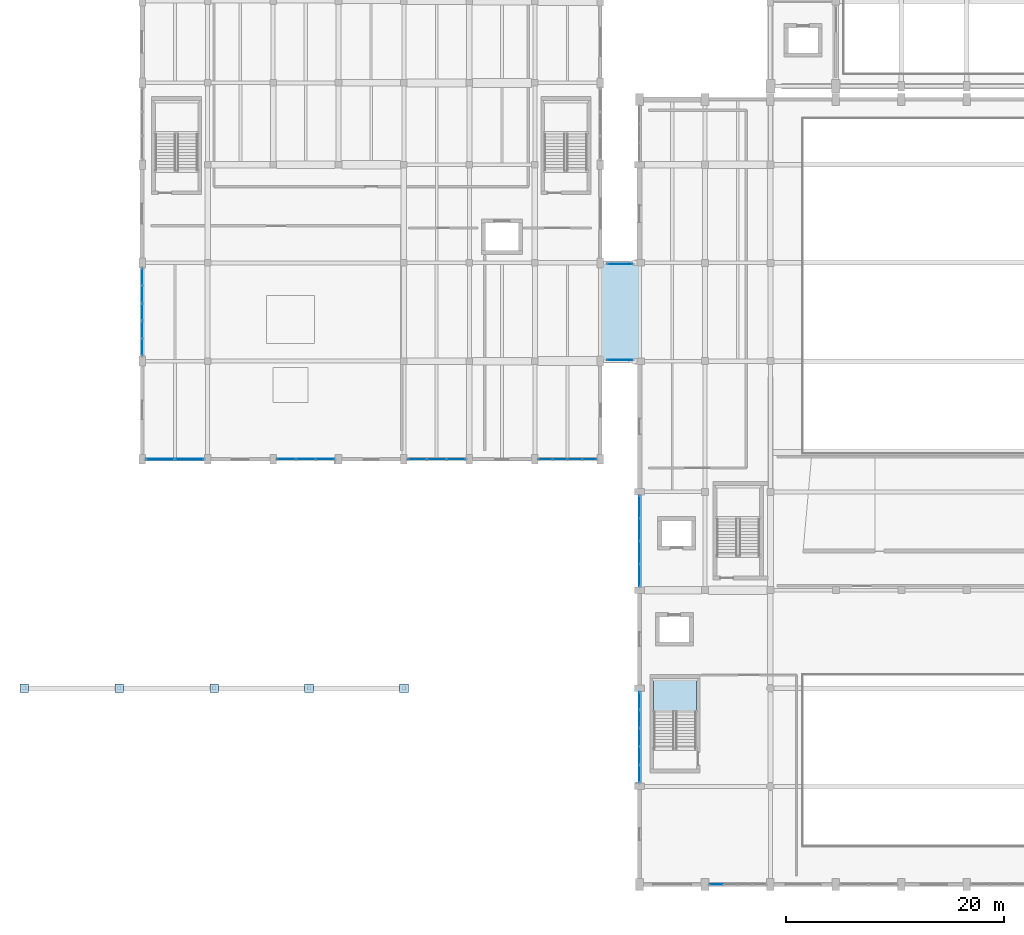
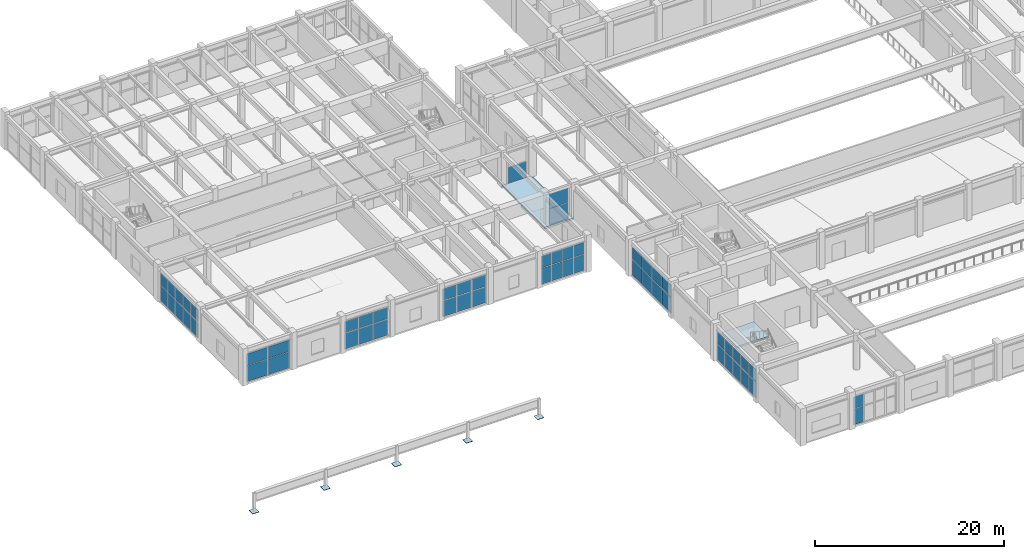
# One storey, part 54 of 85: 62 plates, 2 slabs, 11 elements without a shape of their own.
"""IFC4 building model written with IfcOpenShell, lengths in metres."""

from ifc_helpers import new_model, si_unit, direction, frame, origin, origin_2d, place, context, subcontext, project, spatial, polyline, rectangle, outline, extrude, material, layer, layer_set, type_object, element, aggregate, save


model = new_model("IFC4")

# Units and contexts
model_context = context("Model", 3, precision=1e-05, world=origin(), true_north=direction((0.0, 1.0)))
body_context = subcontext(model_context, "Body", "Model", "MODEL_VIEW")
ifc_project = project(units=[si_unit("LENGTHUNIT", "METRE"), si_unit("AREAUNIT", "SQUARE_METRE"), si_unit("VOLUMEUNIT", "CUBIC_METRE"), si_unit("PLANEANGLEUNIT", "RADIAN"), si_unit("MASSUNIT", "GRAM", prefix="KILO")], contexts=[model_context])

# Site, building, storey
site_placement = place(None, origin())
site = spatial("IfcSite", under=ifc_project, at=site_placement, CompositionType="ELEMENT")
building_placement = place(site_placement, origin())
building = spatial("IfcBuilding", under=site, at=building_placement, Name="Vaelkrest Opera House", CompositionType="ELEMENT")
storey_placement = place(building_placement, frame((0.0, 0.0, 10.199951171875)))
storey = spatial("IfcBuildingStorey", under=building, at=storey_placement, Name="L02", CompositionType="ELEMENT", Elevation=10.199951171875)

# Curtain wall, plates
ifc_material_1 = material(Name="Dark bronze anodized aluminium", Category="aluminium")
ifc_layer_1 = layer(ifc_material_1, 0.18994140625)
ifc_layer_set_1 = layer_set([ifc_layer_1], Name="Dark bronze anodized aluminium")
curtain_wall_type_1 = type_object("IfcCurtainWallType", Name="CW02", PredefinedType="NOTDEFINED", material=ifc_layer_set_1)
curtain_wall_1_placement = place(storey_placement, origin())
curtain_wall_1 = element("IfcCurtainWall", 1, at=curtain_wall_1_placement, inside=storey, type_object=curtain_wall_type_1, Name="Curtain wall CW-L02-035", PredefinedType="NOTDEFINED")
ifc_material_2 = material(Name="Double low-E insulated glazing", Category="glass")
ifc_layer_2 = layer(ifc_material_2, 0.030029296875)
ifc_layer_set_2 = layer_set([ifc_layer_2], Name="Double low-E insulated glazing")
plate_type_1 = type_object("IfcPlateType", Name="CWP02", PredefinedType="CURTAIN_PANEL", material=ifc_layer_set_2)
plate_1_placement = place(storey_placement, frame((-22.971435546875, -55.800048828125, 0.070068359375), z_axis=(0.0, 0.0, 1.0), x_axis=(-1.0, 0.0, 0.0)))
plate_1 = element("IfcPlate", 2, at=plate_1_placement, type_object=plate_type_1, Name="CW02 panel 4.1", PredefinedType="CURTAIN_PANEL", context=body_context, shape_type="SweptSolid", body=[
    extrude(rectangle(XDim=1.220947265625, YDim=0.030029296875, at=origin_2d()), origin(), (0.0, 0.0, 1.0), 2.044921875),
])
plate_2_placement = place(storey_placement, frame((-22.971435546875, -55.800048828125, 2.18505859375), z_axis=(0.0, 0.0, 1.0), x_axis=(-1.0, 0.0, 0.0)))
plate_2 = element("IfcPlate", 3, at=plate_2_placement, type_object=plate_type_1, Name="CW02 panel 4.2", PredefinedType="CURTAIN_PANEL", context=body_context, shape_type="SweptSolid", body=[
    extrude(rectangle(XDim=1.220947265625, YDim=0.030029296875, at=origin_2d()), origin(), (0.0, 0.0, 1.0), 1.489990234375),
])
aggregate(curtain_wall_1, [plate_1, plate_2])

curtain_wall_2_placement = place(storey_placement, origin())
curtain_wall_2 = element("IfcCurtainWall", 4, at=curtain_wall_2_placement, inside=storey, type_object=curtain_wall_type_1, Name="Curtain wall CW-L02-112", PredefinedType="NOTDEFINED")
plate_3_placement = place(storey_placement, frame((-34.591064453125, -16.800048828125, 0.070068359375), z_axis=(0.0, 0.0, 1.0), x_axis=(-1.0, 0.0, 0.0)))
plate_3 = element("IfcPlate", 5, at=plate_3_placement, type_object=plate_type_1, Name="CW02 panel 1.1", PredefinedType="CURTAIN_PANEL", context=body_context, shape_type="SweptSolid", body=[
    extrude(rectangle(XDim=1.24609375, YDim=0.030029296875, at=origin_2d()), origin(), (0.0, 0.0, 1.0), 2.044921875),
])
plate_4_placement = place(storey_placement, frame((-34.591064453125, -16.800048828125, 2.18505859375), z_axis=(0.0, 0.0, 1.0), x_axis=(-1.0, 0.0, 0.0)))
plate_4 = element("IfcPlate", 6, at=plate_4_placement, type_object=plate_type_1, Name="CW02 panel 1.2", PredefinedType="CURTAIN_PANEL", context=body_context, shape_type="SweptSolid", body=[
    extrude(rectangle(XDim=1.24609375, YDim=0.030029296875, at=origin_2d()), origin(), (0.0, 0.0, 1.0), 1.489990234375),
])
plate_5_placement = place(storey_placement, frame((-35.924560546875, -16.800048828125, 0.070068359375), z_axis=(0.0, 0.0, 1.0), x_axis=(-1.0, 0.0, 0.0)))
plate_5 = element("IfcPlate", 7, at=plate_5_placement, type_object=plate_type_1, Name="CW02 panel 2.1", PredefinedType="CURTAIN_PANEL", context=body_context, shape_type="SweptSolid", body=[
    extrude(rectangle(XDim=1.281005859375, YDim=0.030029296875, at=origin_2d()), origin(), (0.0, 0.0, 1.0), 2.044921875),
])
plate_6_placement = place(storey_placement, frame((-35.924560546875, -16.800048828125, 2.18505859375), z_axis=(0.0, 0.0, 1.0), x_axis=(-1.0, 0.0, 0.0)))
plate_6 = element("IfcPlate", 8, at=plate_6_placement, type_object=plate_type_1, Name="CW02 panel 2.2", PredefinedType="CURTAIN_PANEL", context=body_context, shape_type="SweptSolid", body=[
    extrude(rectangle(XDim=1.281005859375, YDim=0.030029296875, at=origin_2d()), origin(), (0.0, 0.0, 1.0), 1.489990234375),
])
plate_7_placement = place(storey_placement, frame((-37.275390625, -16.800048828125, 0.070068359375), z_axis=(0.0, 0.0, 1.0), x_axis=(-1.0, 0.0, 0.0)))
plate_7 = element("IfcPlate", 9, at=plate_7_placement, type_object=plate_type_1, Name="CW02 panel 3.1", PredefinedType="CURTAIN_PANEL", context=body_context, shape_type="SweptSolid", body=[
    extrude(rectangle(XDim=1.281005859375, YDim=0.030029296875, at=origin_2d()), origin(), (0.0, 0.0, 1.0), 2.044921875),
])
plate_8_placement = place(storey_placement, frame((-37.275390625, -16.800048828125, 2.18505859375), z_axis=(0.0, 0.0, 1.0), x_axis=(-1.0, 0.0, 0.0)))
plate_8 = element("IfcPlate", 10, at=plate_8_placement, type_object=plate_type_1, Name="CW02 panel 3.2", PredefinedType="CURTAIN_PANEL", context=body_context, shape_type="SweptSolid", body=[
    extrude(rectangle(XDim=1.281005859375, YDim=0.030029296875, at=origin_2d()), origin(), (0.0, 0.0, 1.0), 1.489990234375),
])
plate_9_placement = place(storey_placement, frame((-38.60888671875, -16.800048828125, 0.070068359375), z_axis=(0.0, 0.0, 1.0), x_axis=(-1.0, 0.0, 0.0)))
plate_9 = element("IfcPlate", 11, at=plate_9_placement, type_object=plate_type_1, Name="CW02 panel 4.1", PredefinedType="CURTAIN_PANEL", context=body_context, shape_type="SweptSolid", body=[
    extrude(rectangle(XDim=1.24609375, YDim=0.030029296875, at=origin_2d()), origin(), (0.0, 0.0, 1.0), 2.044921875),
])
plate_10_placement = place(storey_placement, frame((-38.60888671875, -16.800048828125, 2.18505859375), z_axis=(0.0, 0.0, 1.0), x_axis=(-1.0, 0.0, 0.0)))
plate_10 = element("IfcPlate", 12, at=plate_10_placement, type_object=plate_type_1, Name="CW02 panel 4.2", PredefinedType="CURTAIN_PANEL", context=body_context, shape_type="SweptSolid", body=[
    extrude(rectangle(XDim=1.24609375, YDim=0.030029296875, at=origin_2d()), origin(), (0.0, 0.0, 1.0), 1.489990234375),
])
aggregate(curtain_wall_2, [plate_3, plate_4, plate_5, plate_6, plate_7, plate_8, plate_9, plate_10])

ifc_layer_3 = layer(ifc_material_1, 0.199951171875)
ifc_layer_set_3 = layer_set([ifc_layer_3], Name="Dark bronze anodized aluminium")
curtain_wall_type_2 = type_object("IfcCurtainWallType", Name="CW03", PredefinedType="NOTDEFINED", material=ifc_layer_set_3)
curtain_wall_3_placement = place(storey_placement, origin())
curtain_wall_3 = element("IfcCurtainWall", 13, at=curtain_wall_3_placement, inside=storey, type_object=curtain_wall_type_2, Name="Curtain wall CW-L02-178", PredefinedType="NOTDEFINED")
ifc_layer_4 = layer(ifc_material_2, 0.033935546875)
ifc_layer_set_4 = layer_set([ifc_layer_4], Name="Double low-E insulated glazing")
plate_type_2 = type_object("IfcPlateType", Name="CWP03", PredefinedType="CURTAIN_PANEL", material=ifc_layer_set_4)
plate_11_placement = place(storey_placement, frame((-31.800048828125, -7.699951171875, 0.074951171875), z_axis=(0.0, 0.0, 1.0), x_axis=(-1.0, 0.0, 0.0)))
plate_11 = element("IfcPlate", 14, at=plate_11_placement, type_object=plate_type_2, Name="CW03 panel 1.1", PredefinedType="CURTAIN_PANEL", context=body_context, shape_type="SweptSolid", body=[
    extrude(rectangle(XDim=2.2900390625, YDim=0.033935546875, at=origin_2d()), origin(), (0.0, 0.0, 1.0), 2.03759765625),
])
plate_12_placement = place(storey_placement, frame((-31.800048828125, -7.699951171875, 2.1875), z_axis=(0.0, 0.0, 1.0), x_axis=(-1.0, 0.0, 0.0)))
plate_12 = element("IfcPlate", 15, at=plate_12_placement, type_object=plate_type_2, Name="CW03 panel 1.2", PredefinedType="CURTAIN_PANEL", context=body_context, shape_type="SweptSolid", body=[
    extrude(rectangle(XDim=2.2900390625, YDim=0.033935546875, at=origin_2d()), origin(), (0.0, 0.0, 1.0), 1.8173828125),
])
aggregate(curtain_wall_3, [plate_11, plate_12])

# Curtain wall, plate
curtain_wall_4_placement = place(storey_placement, origin())
curtain_wall_4 = element("IfcCurtainWall", 16, at=curtain_wall_4_placement, inside=storey, type_object=curtain_wall_type_2, Name="Curtain wall CW-L02-179", PredefinedType="NOTDEFINED")
plate_13_placement = place(storey_placement, frame((-31.800048828125, 1.10009765625, 0.074951171875), z_axis=(0.0, 0.0, 1.0), x_axis=(1.0, 0.0, 0.0)))
plate_13 = element("IfcPlate", 17, at=plate_13_placement, type_object=plate_type_2, Name="CW03 panel 1.1", PredefinedType="CURTAIN_PANEL", context=body_context, shape_type="SweptSolid", body=[
    extrude(rectangle(XDim=2.2900390625, YDim=0.033935546875, at=origin_2d()), origin(), (0.0, 0.0, 1.0), 2.03759765625),
])
aggregate(curtain_wall_4, [plate_13])

# Curtain wall, plates
ifc_layer_5 = layer(ifc_material_1, 0.2099609375)
ifc_layer_set_5 = layer_set([ifc_layer_5], Name="Dark bronze anodized aluminium")
curtain_wall_type_3 = type_object("IfcCurtainWallType", Name="CW04", PredefinedType="NOTDEFINED", material=ifc_layer_set_5)
curtain_wall_5_placement = place(storey_placement, origin())
curtain_wall_5 = element("IfcCurtainWall", 18, at=curtain_wall_5_placement, inside=storey, type_object=curtain_wall_type_3, Name="Curtain wall CW-L02-036", PredefinedType="NOTDEFINED")
ifc_layer_6 = layer(ifc_material_2, 0.0380859375)
ifc_layer_set_6 = layer_set([ifc_layer_6], Name="Double low-E insulated glazing")
plate_type_3 = type_object("IfcPlateType", Name="CWP04", PredefinedType="CURTAIN_PANEL", material=ifc_layer_set_6)
plate_14_placement = place(storey_placement, frame((-30.0, -45.6416015625, 0.080078125), z_axis=(0.0, 0.0, 1.0), x_axis=(0.0, 1.0, 0.0)))
plate_14 = element("IfcPlate", 19, at=plate_14_placement, type_object=plate_type_3, Name="CW04 panel 1.1", PredefinedType="CURTAIN_PANEL", context=body_context, shape_type="SweptSolid", body=[
    extrude(rectangle(XDim=1.560791015625, YDim=0.0380859375, at=origin_2d()), origin(), (0.0, 0.0, 1.0), 2.030029296875),
])
plate_15_placement = place(storey_placement, frame((-30.0, -45.6416015625, 2.18994140625), z_axis=(0.0, 0.0, 1.0), x_axis=(0.0, 1.0, 0.0)))
plate_15 = element("IfcPlate", 20, at=plate_15_placement, type_object=plate_type_3, Name="CW04 panel 1.2", PredefinedType="CURTAIN_PANEL", context=body_context, shape_type="SweptSolid", body=[
    extrude(rectangle(XDim=1.560791015625, YDim=0.0380859375, at=origin_2d()), origin(), (0.0, 0.0, 1.0), 1.55908203125),
])
plate_16_placement = place(storey_placement, frame((-30.0, -43.980712890625, 0.080078125), z_axis=(0.0, 0.0, 1.0), x_axis=(0.0, 1.0, 0.0)))
plate_16 = element("IfcPlate", 21, at=plate_16_placement, type_object=plate_type_3, Name="CW04 panel 2.1", PredefinedType="CURTAIN_PANEL", context=body_context, shape_type="SweptSolid", body=[
    extrude(rectangle(XDim=1.600830078125, YDim=0.0380859375, at=origin_2d()), origin(), (0.0, 0.0, 1.0), 2.030029296875),
])
plate_17_placement = place(storey_placement, frame((-30.0, -43.980712890625, 2.18994140625), z_axis=(0.0, 0.0, 1.0), x_axis=(0.0, 1.0, 0.0)))
plate_17 = element("IfcPlate", 22, at=plate_17_placement, type_object=plate_type_3, Name="CW04 panel 2.2", PredefinedType="CURTAIN_PANEL", context=body_context, shape_type="SweptSolid", body=[
    extrude(rectangle(XDim=1.600830078125, YDim=0.0380859375, at=origin_2d()), origin(), (0.0, 0.0, 1.0), 1.55908203125),
])
plate_18_placement = place(storey_placement, frame((-30.0, -42.300048828125, 0.080078125), z_axis=(0.0, 0.0, 1.0), x_axis=(0.0, 1.0, 0.0)))
plate_18 = element("IfcPlate", 23, at=plate_18_placement, type_object=plate_type_3, Name="CW04 panel 3.1", PredefinedType="CURTAIN_PANEL", context=body_context, shape_type="SweptSolid", body=[
    extrude(rectangle(XDim=1.600830078125, YDim=0.0380859375, at=origin_2d()), origin(), (0.0, 0.0, 1.0), 2.030029296875),
])
plate_19_placement = place(storey_placement, frame((-30.0, -42.300048828125, 2.18994140625), z_axis=(0.0, 0.0, 1.0), x_axis=(0.0, 1.0, 0.0)))
plate_19 = element("IfcPlate", 24, at=plate_19_placement, type_object=plate_type_3, Name="CW04 panel 3.2", PredefinedType="CURTAIN_PANEL", context=body_context, shape_type="SweptSolid", body=[
    extrude(rectangle(XDim=1.600830078125, YDim=0.0380859375, at=origin_2d()), origin(), (0.0, 0.0, 1.0), 1.55908203125),
])
plate_20_placement = place(storey_placement, frame((-30.0, -40.619140625, 0.080078125), z_axis=(0.0, 0.0, 1.0), x_axis=(0.0, 1.0, 0.0)))
plate_20 = element("IfcPlate", 25, at=plate_20_placement, type_object=plate_type_3, Name="CW04 panel 4.1", PredefinedType="CURTAIN_PANEL", context=body_context, shape_type="SweptSolid", body=[
    extrude(rectangle(XDim=1.600830078125, YDim=0.0380859375, at=origin_2d()), origin(), (0.0, 0.0, 1.0), 2.030029296875),
])
plate_21_placement = place(storey_placement, frame((-30.0, -40.619140625, 2.18994140625), z_axis=(0.0, 0.0, 1.0), x_axis=(0.0, 1.0, 0.0)))
plate_21 = element("IfcPlate", 26, at=plate_21_placement, type_object=plate_type_3, Name="CW04 panel 4.2", PredefinedType="CURTAIN_PANEL", context=body_context, shape_type="SweptSolid", body=[
    extrude(rectangle(XDim=1.600830078125, YDim=0.0380859375, at=origin_2d()), origin(), (0.0, 0.0, 1.0), 1.55908203125),
])
plate_22_placement = place(storey_placement, frame((-30.0, -38.95849609375, 0.080078125), z_axis=(0.0, 0.0, 1.0), x_axis=(0.0, 1.0, 0.0)))
plate_22 = element("IfcPlate", 27, at=plate_22_placement, type_object=plate_type_3, Name="CW04 panel 5.1", PredefinedType="CURTAIN_PANEL", context=body_context, shape_type="SweptSolid", body=[
    extrude(rectangle(XDim=1.560791015625, YDim=0.0380859375, at=origin_2d()), origin(), (0.0, 0.0, 1.0), 2.030029296875),
])
plate_23_placement = place(storey_placement, frame((-30.0, -38.95849609375, 2.18994140625), z_axis=(0.0, 0.0, 1.0), x_axis=(0.0, 1.0, 0.0)))
plate_23 = element("IfcPlate", 28, at=plate_23_placement, type_object=plate_type_3, Name="CW04 panel 5.2", PredefinedType="CURTAIN_PANEL", context=body_context, shape_type="SweptSolid", body=[
    extrude(rectangle(XDim=1.560791015625, YDim=0.0380859375, at=origin_2d()), origin(), (0.0, 0.0, 1.0), 1.55908203125),
])
aggregate(curtain_wall_5, [plate_14, plate_15, plate_16, plate_17, plate_18, plate_19, plate_20, plate_21, plate_22, plate_23])

curtain_wall_6_placement = place(storey_placement, origin())
curtain_wall_6 = element("IfcCurtainWall", 29, at=curtain_wall_6_placement, inside=storey, type_object=curtain_wall_type_3, Name="Curtain wall CW-L02-113", PredefinedType="NOTDEFINED")
plate_24_placement = place(storey_placement, frame((-46.818603515625, -16.800048828125, 0.080078125), z_axis=(0.0, 0.0, 1.0), x_axis=(-1.0, 0.0, 0.0)))
plate_24 = element("IfcPlate", 30, at=plate_24_placement, type_object=plate_type_3, Name="CW04 panel 1.1", PredefinedType="CURTAIN_PANEL", context=body_context, shape_type="SweptSolid", body=[
    extrude(rectangle(XDim=1.681396484375, YDim=0.0380859375, at=origin_2d()), origin(), (0.0, 0.0, 1.0), 2.030029296875),
])
plate_25_placement = place(storey_placement, frame((-46.818603515625, -16.800048828125, 2.18994140625), z_axis=(0.0, 0.0, 1.0), x_axis=(-1.0, 0.0, 0.0)))
plate_25 = element("IfcPlate", 31, at=plate_25_placement, type_object=plate_type_3, Name="CW04 panel 1.2", PredefinedType="CURTAIN_PANEL", context=body_context, shape_type="SweptSolid", body=[
    extrude(rectangle(XDim=1.681396484375, YDim=0.0380859375, at=origin_2d()), origin(), (0.0, 0.0, 1.0), 1.47509765625),
])
plate_26_placement = place(storey_placement, frame((-48.60009765625, -16.800048828125, 0.080078125), z_axis=(0.0, 0.0, 1.0), x_axis=(-1.0, 0.0, 0.0)))
plate_26 = element("IfcPlate", 32, at=plate_26_placement, type_object=plate_type_3, Name="CW04 panel 2.1", PredefinedType="CURTAIN_PANEL", context=body_context, shape_type="SweptSolid", body=[
    extrude(rectangle(XDim=1.721435546875, YDim=0.0380859375, at=origin_2d()), origin(), (0.0, 0.0, 1.0), 2.030029296875),
])
plate_27_placement = place(storey_placement, frame((-48.60009765625, -16.800048828125, 2.18994140625), z_axis=(0.0, 0.0, 1.0), x_axis=(-1.0, 0.0, 0.0)))
plate_27 = element("IfcPlate", 33, at=plate_27_placement, type_object=plate_type_3, Name="CW04 panel 2.2", PredefinedType="CURTAIN_PANEL", context=body_context, shape_type="SweptSolid", body=[
    extrude(rectangle(XDim=1.721435546875, YDim=0.0380859375, at=origin_2d()), origin(), (0.0, 0.0, 1.0), 1.47509765625),
])
plate_28_placement = place(storey_placement, frame((-50.38134765625, -16.800048828125, 0.080078125), z_axis=(0.0, 0.0, 1.0), x_axis=(-1.0, 0.0, 0.0)))
plate_28 = element("IfcPlate", 34, at=plate_28_placement, type_object=plate_type_3, Name="CW04 panel 3.1", PredefinedType="CURTAIN_PANEL", context=body_context, shape_type="SweptSolid", body=[
    extrude(rectangle(XDim=1.681396484375, YDim=0.0380859375, at=origin_2d()), origin(), (0.0, 0.0, 1.0), 2.030029296875),
])
plate_29_placement = place(storey_placement, frame((-50.38134765625, -16.800048828125, 2.18994140625), z_axis=(0.0, 0.0, 1.0), x_axis=(-1.0, 0.0, 0.0)))
plate_29 = element("IfcPlate", 35, at=plate_29_placement, type_object=plate_type_3, Name="CW04 panel 3.2", PredefinedType="CURTAIN_PANEL", context=body_context, shape_type="SweptSolid", body=[
    extrude(rectangle(XDim=1.681396484375, YDim=0.0380859375, at=origin_2d()), origin(), (0.0, 0.0, 1.0), 1.47509765625),
])
aggregate(curtain_wall_6, [plate_24, plate_25, plate_26, plate_27, plate_28, plate_29])

curtain_wall_7_placement = place(storey_placement, origin())
curtain_wall_7 = element("IfcCurtainWall", 36, at=curtain_wall_7_placement, inside=storey, type_object=curtain_wall_type_3, Name="Curtain wall CW-L02-116", PredefinedType="NOTDEFINED")
plate_30_placement = place(storey_placement, frame((-75.60009765625, -6.521484375, 0.080078125), z_axis=(0.0, 0.0, 1.0), x_axis=(0.0, 1.0, 0.0)))
plate_30 = element("IfcPlate", 37, at=plate_30_placement, type_object=plate_type_3, Name="CW04 panel 1.1", PredefinedType="CURTAIN_PANEL", context=body_context, shape_type="SweptSolid", body=[
    extrude(rectangle(XDim=1.500732421875, YDim=0.0380859375, at=origin_2d()), origin(), (0.0, 0.0, 1.0), 2.030029296875),
])
plate_31_placement = place(storey_placement, frame((-75.60009765625, -6.521484375, 2.18994140625), z_axis=(0.0, 0.0, 1.0), x_axis=(0.0, 1.0, 0.0)))
plate_31 = element("IfcPlate", 38, at=plate_31_placement, type_object=plate_type_3, Name="CW04 panel 1.2", PredefinedType="CURTAIN_PANEL", context=body_context, shape_type="SweptSolid", body=[
    extrude(rectangle(XDim=1.500732421875, YDim=0.0380859375, at=origin_2d()), origin(), (0.0, 0.0, 1.0), 1.55908203125),
])
plate_32_placement = place(storey_placement, frame((-75.60009765625, -4.9208984375, 0.080078125), z_axis=(0.0, 0.0, 1.0), x_axis=(0.0, 1.0, 0.0)))
plate_32 = element("IfcPlate", 39, at=plate_32_placement, type_object=plate_type_3, Name="CW04 panel 2.1", PredefinedType="CURTAIN_PANEL", context=body_context, shape_type="SweptSolid", body=[
    extrude(rectangle(XDim=1.540771484375, YDim=0.0380859375, at=origin_2d()), origin(), (0.0, 0.0, 1.0), 2.030029296875),
])
plate_33_placement = place(storey_placement, frame((-75.60009765625, -4.9208984375, 2.18994140625), z_axis=(0.0, 0.0, 1.0), x_axis=(0.0, 1.0, 0.0)))
plate_33 = element("IfcPlate", 40, at=plate_33_placement, type_object=plate_type_3, Name="CW04 panel 2.2", PredefinedType="CURTAIN_PANEL", context=body_context, shape_type="SweptSolid", body=[
    extrude(rectangle(XDim=1.540771484375, YDim=0.0380859375, at=origin_2d()), origin(), (0.0, 0.0, 1.0), 1.55908203125),
])
plate_34_placement = place(storey_placement, frame((-75.60009765625, -3.300048828125, 0.080078125), z_axis=(0.0, 0.0, 1.0), x_axis=(0.0, 1.0, 0.0)))
plate_34 = element("IfcPlate", 41, at=plate_34_placement, type_object=plate_type_3, Name="CW04 panel 3.1", PredefinedType="CURTAIN_PANEL", context=body_context, shape_type="SweptSolid", body=[
    extrude(rectangle(XDim=1.540771484375, YDim=0.0380859375, at=origin_2d()), origin(), (0.0, 0.0, 1.0), 2.030029296875),
])
plate_35_placement = place(storey_placement, frame((-75.60009765625, -3.300048828125, 2.18994140625), z_axis=(0.0, 0.0, 1.0), x_axis=(0.0, 1.0, 0.0)))
plate_35 = element("IfcPlate", 42, at=plate_35_placement, type_object=plate_type_3, Name="CW04 panel 3.2", PredefinedType="CURTAIN_PANEL", context=body_context, shape_type="SweptSolid", body=[
    extrude(rectangle(XDim=1.540771484375, YDim=0.0380859375, at=origin_2d()), origin(), (0.0, 0.0, 1.0), 1.55908203125),
])
plate_36_placement = place(storey_placement, frame((-75.60009765625, -1.67919921875, 0.080078125), z_axis=(0.0, 0.0, 1.0), x_axis=(0.0, 1.0, 0.0)))
plate_36 = element("IfcPlate", 43, at=plate_36_placement, type_object=plate_type_3, Name="CW04 panel 4.1", PredefinedType="CURTAIN_PANEL", context=body_context, shape_type="SweptSolid", body=[
    extrude(rectangle(XDim=1.540771484375, YDim=0.0380859375, at=origin_2d()), origin(), (0.0, 0.0, 1.0), 2.030029296875),
])
plate_37_placement = place(storey_placement, frame((-75.60009765625, -1.67919921875, 2.18994140625), z_axis=(0.0, 0.0, 1.0), x_axis=(0.0, 1.0, 0.0)))
plate_37 = element("IfcPlate", 44, at=plate_37_placement, type_object=plate_type_3, Name="CW04 panel 4.2", PredefinedType="CURTAIN_PANEL", context=body_context, shape_type="SweptSolid", body=[
    extrude(rectangle(XDim=1.540771484375, YDim=0.0380859375, at=origin_2d()), origin(), (0.0, 0.0, 1.0), 1.55908203125),
])
plate_38_placement = place(storey_placement, frame((-75.60009765625, -0.078369140625, 0.080078125), z_axis=(0.0, 0.0, 1.0), x_axis=(0.0, 1.0, 0.0)))
plate_38 = element("IfcPlate", 45, at=plate_38_placement, type_object=plate_type_3, Name="CW04 panel 5.1", PredefinedType="CURTAIN_PANEL", context=body_context, shape_type="SweptSolid", body=[
    extrude(rectangle(XDim=1.500732421875, YDim=0.0380859375, at=origin_2d()), origin(), (0.0, 0.0, 1.0), 2.030029296875),
])
plate_39_placement = place(storey_placement, frame((-75.60009765625, -0.078369140625, 2.18994140625), z_axis=(0.0, 0.0, 1.0), x_axis=(0.0, 1.0, 0.0)))
plate_39 = element("IfcPlate", 46, at=plate_39_placement, type_object=plate_type_3, Name="CW04 panel 5.2", PredefinedType="CURTAIN_PANEL", context=body_context, shape_type="SweptSolid", body=[
    extrude(rectangle(XDim=1.500732421875, YDim=0.0380859375, at=origin_2d()), origin(), (0.0, 0.0, 1.0), 1.55908203125),
])
aggregate(curtain_wall_7, [plate_30, plate_31, plate_32, plate_33, plate_34, plate_35, plate_36, plate_37, plate_38, plate_39])

ifc_layer_7 = layer(ifc_material_1, 0.22998046875)
ifc_layer_set_7 = layer_set([ifc_layer_7], Name="Dark bronze anodized aluminium")
curtain_wall_type_4 = type_object("IfcCurtainWallType", Name="CW06", PredefinedType="NOTDEFINED", material=ifc_layer_set_7)
curtain_wall_8_placement = place(storey_placement, origin())
curtain_wall_8 = element("IfcCurtainWall", 47, at=curtain_wall_8_placement, inside=storey, type_object=curtain_wall_type_4, Name="Curtain wall CW-L02-037", PredefinedType="NOTDEFINED")
ifc_material_3 = material(Name="Dark bronze anodized aluminium spandrel", Category="aluminium")
ifc_layer_8 = layer(ifc_material_3, 0.0458984375)
ifc_layer_set_8 = layer_set([ifc_layer_8], Name="Dark bronze anodized aluminium spandrel")
plate_type_4 = type_object("IfcPlateType", Name="CWP06", PredefinedType="CURTAIN_PANEL", material=ifc_layer_set_8)
plate_40_placement = place(storey_placement, frame((-30.0, -27.43408203125, 0.080078125), z_axis=(0.0, 0.0, 1.0), x_axis=(0.0, 1.0, 0.0)))
plate_40 = element("IfcPlate", 48, at=plate_40_placement, type_object=plate_type_4, Name="CW06 panel 1.1", PredefinedType="CURTAIN_PANEL", context=body_context, shape_type="SweptSolid", body=[
    extrude(rectangle(XDim=1.99609375, YDim=0.0458984375, at=origin_2d()), origin(), (0.0, 0.0, 1.0), 2.030029296875),
])
plate_41_placement = place(storey_placement, frame((-30.0, -27.43408203125, 2.18994140625), z_axis=(0.0, 0.0, 1.0), x_axis=(0.0, 1.0, 0.0)))
plate_41 = element("IfcPlate", 49, at=plate_41_placement, type_object=plate_type_4, Name="CW06 panel 1.2", PredefinedType="CURTAIN_PANEL", context=body_context, shape_type="SweptSolid", body=[
    extrude(rectangle(XDim=1.99609375, YDim=0.0458984375, at=origin_2d()), origin(), (0.0, 0.0, 1.0), 1.55908203125),
])
plate_42_placement = place(storey_placement, frame((-30.0, -25.3505859375, 0.080078125), z_axis=(0.0, 0.0, 1.0), x_axis=(0.0, 1.0, 0.0)))
plate_42 = element("IfcPlate", 50, at=plate_42_placement, type_object=plate_type_4, Name="CW06 panel 2.1", PredefinedType="CURTAIN_PANEL", context=body_context, shape_type="SweptSolid", body=[
    extrude(rectangle(XDim=2.031005859375, YDim=0.0458984375, at=origin_2d()), origin(), (0.0, 0.0, 1.0), 2.030029296875),
])
plate_43_placement = place(storey_placement, frame((-30.0, -25.3505859375, 2.18994140625), z_axis=(0.0, 0.0, 1.0), x_axis=(0.0, 1.0, 0.0)))
plate_43 = element("IfcPlate", 51, at=plate_43_placement, type_object=plate_type_4, Name="CW06 panel 2.2", PredefinedType="CURTAIN_PANEL", context=body_context, shape_type="SweptSolid", body=[
    extrude(rectangle(XDim=2.031005859375, YDim=0.0458984375, at=origin_2d()), origin(), (0.0, 0.0, 1.0), 1.55908203125),
])
plate_44_placement = place(storey_placement, frame((-30.0, -23.24951171875, 0.080078125), z_axis=(0.0, 0.0, 1.0), x_axis=(0.0, 1.0, 0.0)))
plate_44 = element("IfcPlate", 52, at=plate_44_placement, type_object=plate_type_4, Name="CW06 panel 3.1", PredefinedType="CURTAIN_PANEL", context=body_context, shape_type="SweptSolid", body=[
    extrude(rectangle(XDim=2.031005859375, YDim=0.0458984375, at=origin_2d()), origin(), (0.0, 0.0, 1.0), 2.030029296875),
])
plate_45_placement = place(storey_placement, frame((-30.0, -23.24951171875, 2.18994140625), z_axis=(0.0, 0.0, 1.0), x_axis=(0.0, 1.0, 0.0)))
plate_45 = element("IfcPlate", 53, at=plate_45_placement, type_object=plate_type_4, Name="CW06 panel 3.2", PredefinedType="CURTAIN_PANEL", context=body_context, shape_type="SweptSolid", body=[
    extrude(rectangle(XDim=2.031005859375, YDim=0.0458984375, at=origin_2d()), origin(), (0.0, 0.0, 1.0), 1.55908203125),
])
plate_46_placement = place(storey_placement, frame((-30.0, -21.166015625, 0.080078125), z_axis=(0.0, 0.0, 1.0), x_axis=(0.0, 1.0, 0.0)))
plate_46 = element("IfcPlate", 54, at=plate_46_placement, type_object=plate_type_4, Name="CW06 panel 4.1", PredefinedType="CURTAIN_PANEL", context=body_context, shape_type="SweptSolid", body=[
    extrude(rectangle(XDim=1.99609375, YDim=0.0458984375, at=origin_2d()), origin(), (0.0, 0.0, 1.0), 2.030029296875),
])
plate_47_placement = place(storey_placement, frame((-30.0, -21.166015625, 2.18994140625), z_axis=(0.0, 0.0, 1.0), x_axis=(0.0, 1.0, 0.0)))
plate_47 = element("IfcPlate", 55, at=plate_47_placement, type_object=plate_type_4, Name="CW06 panel 4.2", PredefinedType="CURTAIN_PANEL", context=body_context, shape_type="SweptSolid", body=[
    extrude(rectangle(XDim=1.99609375, YDim=0.0458984375, at=origin_2d()), origin(), (0.0, 0.0, 1.0), 1.55908203125),
])
aggregate(curtain_wall_8, [plate_40, plate_41, plate_42, plate_43, plate_44, plate_45, plate_46, plate_47])

curtain_wall_9_placement = place(storey_placement, origin())
curtain_wall_9 = element("IfcCurtainWall", 56, at=curtain_wall_9_placement, inside=storey, type_object=curtain_wall_type_4, Name="Curtain wall CW-L02-114", PredefinedType="NOTDEFINED")
plate_48_placement = place(storey_placement, frame((-58.816162109375, -16.800048828125, 0.080078125), z_axis=(0.0, 0.0, 1.0), x_axis=(-1.0, 0.0, 0.0)))
plate_48 = element("IfcPlate", 57, at=plate_48_placement, type_object=plate_type_4, Name="CW06 panel 1.1", PredefinedType="CURTAIN_PANEL", context=body_context, shape_type="SweptSolid", body=[
    extrude(rectangle(XDim=1.6962890625, YDim=0.0458984375, at=origin_2d()), origin(), (0.0, 0.0, 1.0), 2.030029296875),
])
plate_49_placement = place(storey_placement, frame((-58.816162109375, -16.800048828125, 2.18994140625), z_axis=(0.0, 0.0, 1.0), x_axis=(-1.0, 0.0, 0.0)))
plate_49 = element("IfcPlate", 58, at=plate_49_placement, type_object=plate_type_4, Name="CW06 panel 1.2", PredefinedType="CURTAIN_PANEL", context=body_context, shape_type="SweptSolid", body=[
    extrude(rectangle(XDim=1.6962890625, YDim=0.0458984375, at=origin_2d()), origin(), (0.0, 0.0, 1.0), 1.47509765625),
])
plate_50_placement = place(storey_placement, frame((-60.60009765625, -16.800048828125, 0.080078125), z_axis=(0.0, 0.0, 1.0), x_axis=(-1.0, 0.0, 0.0)))
plate_50 = element("IfcPlate", 59, at=plate_50_placement, type_object=plate_type_4, Name="CW06 panel 2.1", PredefinedType="CURTAIN_PANEL", context=body_context, shape_type="SweptSolid", body=[
    extrude(rectangle(XDim=1.7314453125, YDim=0.0458984375, at=origin_2d()), origin(), (0.0, 0.0, 1.0), 2.030029296875),
])
plate_51_placement = place(storey_placement, frame((-60.60009765625, -16.800048828125, 2.18994140625), z_axis=(0.0, 0.0, 1.0), x_axis=(-1.0, 0.0, 0.0)))
plate_51 = element("IfcPlate", 60, at=plate_51_placement, type_object=plate_type_4, Name="CW06 panel 2.2", PredefinedType="CURTAIN_PANEL", context=body_context, shape_type="SweptSolid", body=[
    extrude(rectangle(XDim=1.7314453125, YDim=0.0458984375, at=origin_2d()), origin(), (0.0, 0.0, 1.0), 1.47509765625),
])
plate_52_placement = place(storey_placement, frame((-62.3837890625, -16.800048828125, 0.080078125), z_axis=(0.0, 0.0, 1.0), x_axis=(-1.0, 0.0, 0.0)))
plate_52 = element("IfcPlate", 61, at=plate_52_placement, type_object=plate_type_4, Name="CW06 panel 3.1", PredefinedType="CURTAIN_PANEL", context=body_context, shape_type="SweptSolid", body=[
    extrude(rectangle(XDim=1.6962890625, YDim=0.0458984375, at=origin_2d()), origin(), (0.0, 0.0, 1.0), 2.030029296875),
])
plate_53_placement = place(storey_placement, frame((-62.3837890625, -16.800048828125, 2.18994140625), z_axis=(0.0, 0.0, 1.0), x_axis=(-1.0, 0.0, 0.0)))
plate_53 = element("IfcPlate", 62, at=plate_53_placement, type_object=plate_type_4, Name="CW06 panel 3.2", PredefinedType="CURTAIN_PANEL", context=body_context, shape_type="SweptSolid", body=[
    extrude(rectangle(XDim=1.6962890625, YDim=0.0458984375, at=origin_2d()), origin(), (0.0, 0.0, 1.0), 1.47509765625),
])
aggregate(curtain_wall_9, [plate_48, plate_49, plate_50, plate_51, plate_52, plate_53])

ifc_layer_9 = layer(ifc_material_1, 0.25)
ifc_layer_set_9 = layer_set([ifc_layer_9], Name="Dark bronze anodized aluminium")
curtain_wall_type_5 = type_object("IfcCurtainWallType", Name="CW08", PredefinedType="NOTDEFINED", material=ifc_layer_set_9)
curtain_wall_10_placement = place(storey_placement, origin())
curtain_wall_10 = element("IfcCurtainWall", 63, at=curtain_wall_10_placement, inside=storey, type_object=curtain_wall_type_5, Name="Curtain wall CW-L02-115", PredefinedType="NOTDEFINED")
ifc_layer_10 = layer(ifc_material_3, 0.05810546875)
ifc_layer_set_10 = layer_set([ifc_layer_10], Name="Dark bronze anodized aluminium spandrel")
plate_type_5 = type_object("IfcPlateType", Name="CWP08", PredefinedType="CURTAIN_PANEL", material=ifc_layer_set_10)
plate_54_placement = place(storey_placement, frame((-71.26904296875, -16.800048828125, 0.070068359375), z_axis=(0.0, 0.0, 1.0), x_axis=(-1.0, 0.0, 0.0)))
plate_54 = element("IfcPlate", 64, at=plate_54_placement, type_object=plate_type_5, Name="CW08 panel 1.1", PredefinedType="CURTAIN_PANEL", context=body_context, shape_type="SweptSolid", body=[
    extrude(rectangle(XDim=2.58203125, YDim=0.05810546875, at=origin_2d()), origin(), (0.0, 0.0, 1.0), 2.044921875),
])
plate_55_placement = place(storey_placement, frame((-71.26904296875, -16.800048828125, 2.18505859375), z_axis=(0.0, 0.0, 1.0), x_axis=(-1.0, 0.0, 0.0)))
plate_55 = element("IfcPlate", 65, at=plate_55_placement, type_object=plate_type_5, Name="CW08 panel 1.2", PredefinedType="CURTAIN_PANEL", context=body_context, shape_type="SweptSolid", body=[
    extrude(rectangle(XDim=2.58203125, YDim=0.05810546875, at=origin_2d()), origin(), (0.0, 0.0, 1.0), 1.489990234375),
])
plate_56_placement = place(storey_placement, frame((-73.930908203125, -16.800048828125, 0.070068359375), z_axis=(0.0, 0.0, 1.0), x_axis=(-1.0, 0.0, 0.0)))
plate_56 = element("IfcPlate", 66, at=plate_56_placement, type_object=plate_type_5, Name="CW08 panel 2.1", PredefinedType="CURTAIN_PANEL", context=body_context, shape_type="SweptSolid", body=[
    extrude(rectangle(XDim=2.58203125, YDim=0.05810546875, at=origin_2d()), origin(), (0.0, 0.0, 1.0), 2.044921875),
])
plate_57_placement = place(storey_placement, frame((-73.930908203125, -16.800048828125, 2.18505859375), z_axis=(0.0, 0.0, 1.0), x_axis=(-1.0, 0.0, 0.0)))
plate_57 = element("IfcPlate", 67, at=plate_57_placement, type_object=plate_type_5, Name="CW08 panel 2.2", PredefinedType="CURTAIN_PANEL", context=body_context, shape_type="SweptSolid", body=[
    extrude(rectangle(XDim=2.58203125, YDim=0.05810546875, at=origin_2d()), origin(), (0.0, 0.0, 1.0), 1.489990234375),
])
aggregate(curtain_wall_10, [plate_54, plate_55, plate_56, plate_57])

# Slab
ifc_material_4 = material(Name="Concrete C40/50", Category="concrete")
ifc_layer_11 = layer(ifc_material_4, 0.22998046875)
ifc_layer_set_11 = layer_set([ifc_layer_11], Name="Concrete C40/50")
slab_type_1 = type_object("IfcSlabType", Name="FS08", PredefinedType="FLOOR", material=ifc_layer_set_11)
slab_1_placement = place(storey_placement, frame((0.0, 0.0, -0.22998046875)))
element("IfcSlab", 68, at=slab_1_placement, inside=storey, type_object=slab_type_1, Name="Seismic link bridge floor BR-W-L02", PredefinedType="FLOOR", context=body_context, shape_type="SweptSolid", body=[
    extrude(outline(polyline([(-33.60009765625, -7.800048828125), (-30.050048828125, -7.800048828125), (-30.050048828125, 1.199951171875), (-33.60009765625, 1.199951171875), (-33.60009765625, -7.800048828125)])), origin(), (0.0, 0.0, 1.0), 0.22998046875),
])

# Plates
ifc_material_5 = material(Name="Steel A572 Gr50", Category="steel")
ifc_layer_12 = layer(ifc_material_5, 0.050048828125)
ifc_layer_set_12 = layer_set([ifc_layer_12], Name="Steel A572 Gr50")
plate_type_6 = type_object("IfcPlateType", Name="GP08", PredefinedType="USERDEFINED", material=ifc_layer_set_12)
for number, where, z_axis, x_axis, name in (
    (69, (-86.39990234375, -37.800048828125, 0.0), (0.0, 0.0, 1.0), (1.0, 0.0, 0.0), "Roof leg base plate V5-N-00"),
    (70, (-77.699951171875, -37.800048828125, 0.0), (0.0, 0.0, 1.0), (1.0, 0.0, 0.0), "Roof leg base plate V5-N-01"),
    (71, (-69.0, -37.800048828125, 0.0), (0.0, 0.0, 1.0), (1.0, 0.0, 0.0), "Roof leg base plate V5-N-02"),
    (72, (-60.300048828125, -37.800048828125, 0.0), (0.0, 0.0, 1.0), (1.0, 0.0, 0.0), "Roof leg base plate V5-N-03"),
    (73, (-51.60009765625, -37.800048828125, 0.0), (0.0, 0.0, 1.0), (1.0, 0.0, 0.0), "Roof leg base plate V5-N-04"),
):
    element("IfcPlate", number, at=place(storey_placement, frame(where, z_axis=z_axis, x_axis=x_axis)), inside=storey, type_object=plate_type_6, Name=name, ObjectType="GUSSET PLATE", PredefinedType="USERDEFINED", context=body_context, shape_type="SweptSolid", body=[
        extrude(rectangle(XDim=0.800048828125, YDim=0.800048828125, at=origin_2d()), origin(), (0.0, 0.0, 1.0), 0.050048828125),
    ])

# Stair, slab
stair_type = type_object("IfcStairType", Name="ST03", PredefinedType="TWO_STRAIGHT_RUN_STAIR", material=ifc_material_4)
stair_placement = place(storey_placement, origin())
stair = element("IfcStair", 74, at=stair_placement, inside=storey, type_object=stair_type, Name="L02 Protected exit stair ST03", PredefinedType="TWO_STRAIGHT_RUN_STAIR")
ifc_layer_13 = layer(ifc_material_4, 0.199951171875)
ifc_layer_set_13 = layer_set([ifc_layer_13], Name="Concrete C40/50")
slab_type_2 = type_object("IfcSlabType", Name="SLD01", PredefinedType="LANDING", material=ifc_layer_set_13)
slab_2_placement = place(storey_placement, frame((0.0, 0.0, 2.199951171875)))
slab_2 = element("IfcSlab", 75, at=slab_2_placement, type_object=slab_type_2, Name="ST03 landing 1", PredefinedType="LANDING", context=body_context, shape_type="SweptSolid", body=[
    extrude(outline(polyline([(-24.800048828125, -39.989990234375), (-24.800048828125, -36.89990234375), (-28.699951171875, -36.89990234375), (-28.699951171875, -39.989990234375), (-24.800048828125, -39.989990234375)])), origin(), (0.0, 0.0, 1.0), 0.2001953125),
])
aggregate(stair, [slab_2])

save(model, "model.ifc")
